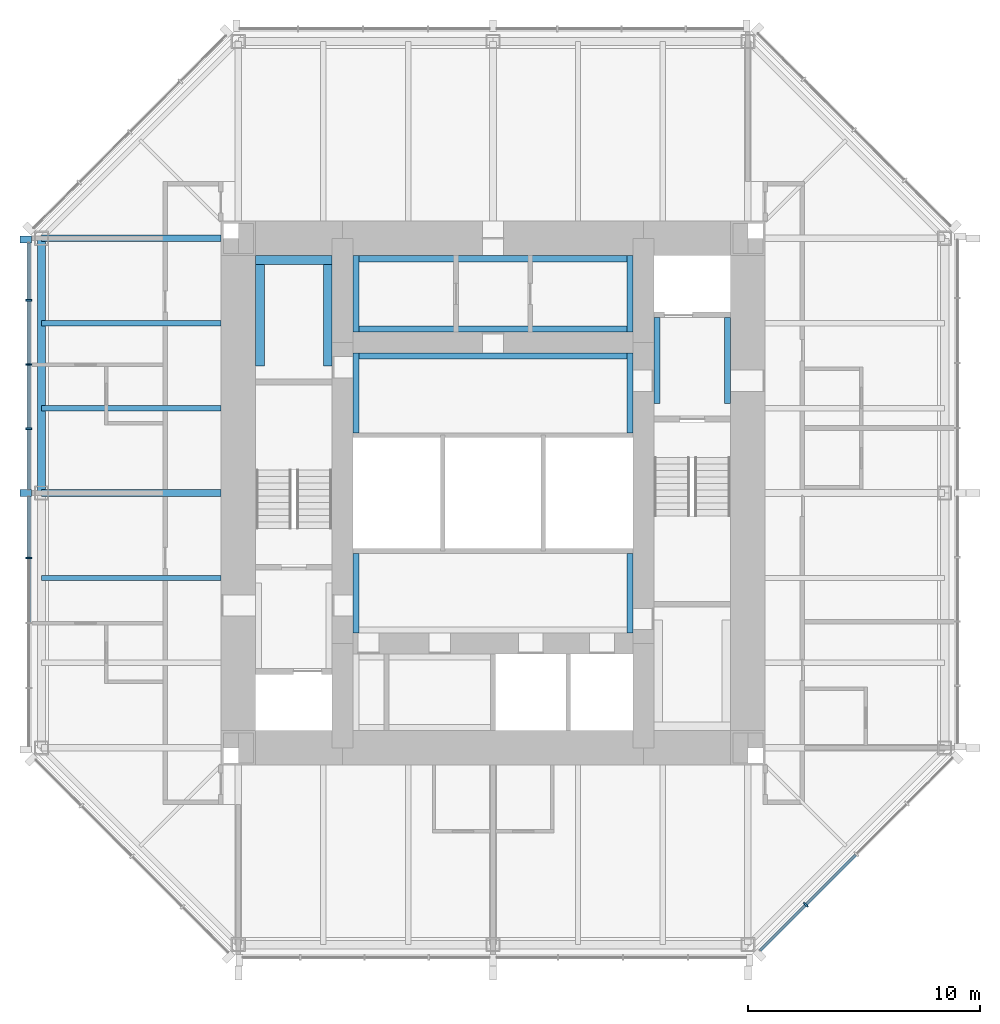
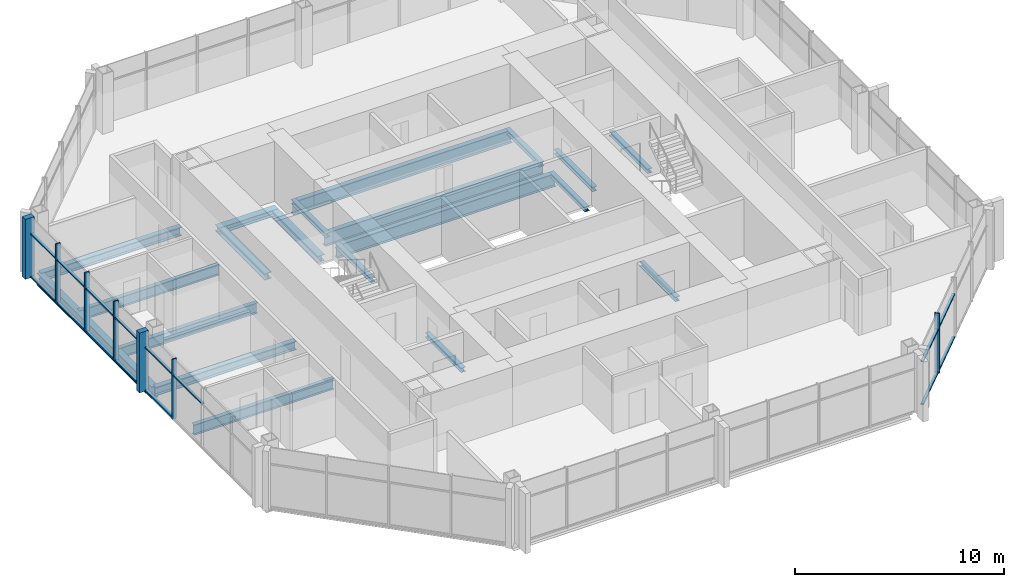
# One storey, part 3 of 11: 22 members, 20 beams, 2 elements without a shape of their own.
"""IFC4 building model written with IfcOpenShell, lengths in metres."""

from ifc_helpers import new_model, si_unit, direction, frame, origin, origin_2d, place, context, subcontext, project, spatial, rectangle, i_section, extrude, material, material_profile, profile_set, type_object, element, aggregate, save


model = new_model("IFC4")

# Units and contexts
model_context = context("Model", 3, precision=1e-05, world=origin(), true_north=direction((0.0, 1.0)))
body_context = subcontext(model_context, "Body", "Model", "MODEL_VIEW")
ifc_project = project(units=[si_unit("LENGTHUNIT", "METRE"), si_unit("AREAUNIT", "SQUARE_METRE"), si_unit("VOLUMEUNIT", "CUBIC_METRE"), si_unit("PLANEANGLEUNIT", "RADIAN"), si_unit("MASSUNIT", "GRAM", prefix="KILO")], contexts=[model_context])

# Site, building, storey
site_placement = place(None, origin())
site = spatial("IfcSite", under=ifc_project, at=site_placement, CompositionType="ELEMENT")
building_placement = place(site_placement, origin())
building = spatial("IfcBuilding", under=site, at=building_placement, Name="Trevanion Tower", CompositionType="ELEMENT")
storey_placement = place(building_placement, frame((0.0, 0.0, 253.699951171875)))
storey = spatial("IfcBuildingStorey", under=building, at=storey_placement, Name="L62", CompositionType="ELEMENT", Elevation=253.699951171875)

# Beams
ifc_material_1 = material(Name="Steel ASTM A992 Grade 50", Category="steel")
ifc_material_profile_1 = material_profile(ifc_material_1, i_section(OverallWidth=0.228271484375, OverallDepth=0.607177734375, WebThickness=0.01123046875, FlangeThickness=0.017333984375, at=origin_2d()), Name="W24X76")
ifc_profile_set_1 = profile_set([ifc_material_profile_1], Name="Steel ASTM A992 Grade 50")
beam_type_1 = type_object("IfcBeamType", Name="B11 W24X76", PredefinedType="BEAM", material=ifc_profile_set_1)
for number, where, z_axis, x_axis, name in (
    (1, (-11.75, 7.333251953125, -0.493408203125), (-1.0, 0.0, 0.0), (0.0, -1.0, 0.0), "B11 L62"),
    (2, (-11.75, 3.666748046875, -0.493408203125), (-1.0, 0.0, 0.0), (0.0, -1.0, 0.0), "B11 L62"),
    (3, (-11.75, -3.666748046875, -0.493408203125), (-1.0, 0.0, 0.0), (0.0, -1.0, 0.0), "B11 L62"),
):
    element("IfcBeam", number, at=place(storey_placement, frame(where, z_axis=z_axis, x_axis=x_axis)), inside=storey, type_object=beam_type_1, Name=name, PredefinedType="BEAM", context=body_context, shape_type="SweptSolid", body=[
        extrude(i_section(OverallWidth=0.228271484375, OverallDepth=0.607177734375, WebThickness=0.01123046875, FlangeThickness=0.017333984375, at=origin_2d()), origin(), (0.0, 0.0, 1.0), 7.75),
    ])

# Curtain wall, members
ifc_material_2 = material(Name="Aluminium and glass", Category="aluminium")
curtain_wall_type = type_object("IfcCurtainWallType", Name="CW3 curtain wall", PredefinedType="USERDEFINED", material=ifc_material_2)
curtain_wall_1_placement = place(storey_placement, origin())
curtain_wall_1 = element("IfcCurtainWall", 4, at=curtain_wall_1_placement, inside=storey, type_object=curtain_wall_type, Name="CW3 L62 4", ObjectType="UNITISED CURTAIN WALL", PredefinedType="USERDEFINED")
ifc_material_3 = material(Name="Aluminium extrusion, anodised bronze", Category="aluminium")
ifc_material_profile_2 = material_profile(ifc_material_3, rectangle(XDim=0.074951171875, YDim=0.25, at=origin_2d()), Name="CW3 mullion")
ifc_profile_set_2 = profile_set([ifc_material_profile_2], Name="Aluminium extrusion, anodised bronze")
member_type_1 = type_object("IfcMemberType", Name="CW3 mullion", PredefinedType="MULLION", material=ifc_profile_set_2)
member_1_placement = place(storey_placement, frame((-20.050048828125, 8.323486328125, -0.18994140625), z_axis=(0.0, 0.0, 1.0), x_axis=(0.0, -1.0, 0.0)))
member_1 = element("IfcMember", 5, at=member_1_placement, type_object=member_type_1, Name="CW3 mullion 2", PredefinedType="MULLION", context=body_context, shape_type="SweptSolid", body=[
    extrude(rectangle(XDim=0.074951171875, YDim=0.25, at=origin_2d()), origin(), (0.0, 0.0, 1.0), 3.5),
])
member_2_placement = place(storey_placement, frame((-20.050048828125, 5.548828125, -0.18994140625), z_axis=(0.0, 0.0, 1.0), x_axis=(0.0, -1.0, 0.0)))
member_2 = element("IfcMember", 6, at=member_2_placement, type_object=member_type_1, Name="CW3 mullion 3", PredefinedType="MULLION", context=body_context, shape_type="SweptSolid", body=[
    extrude(rectangle(XDim=0.074951171875, YDim=0.25, at=origin_2d()), origin(), (0.0, 0.0, 1.0), 3.5),
])
member_3_placement = place(storey_placement, frame((-20.050048828125, 2.7744140625, -0.18994140625), z_axis=(0.0, 0.0, 1.0), x_axis=(0.0, -1.0, 0.0)))
member_3 = element("IfcMember", 7, at=member_3_placement, type_object=member_type_1, Name="CW3 mullion 4", PredefinedType="MULLION", context=body_context, shape_type="SweptSolid", body=[
    extrude(rectangle(XDim=0.074951171875, YDim=0.25, at=origin_2d()), origin(), (0.0, 0.0, 1.0), 3.5),
])
member_4_placement = place(storey_placement, frame((-20.050048828125, -2.806884765625, -0.18994140625), z_axis=(0.0, 0.0, 1.0), x_axis=(0.0, -1.0, 0.0)))
member_4 = element("IfcMember", 8, at=member_4_placement, type_object=member_type_1, Name="CW3 mullion 6", PredefinedType="MULLION", context=body_context, shape_type="SweptSolid", body=[
    extrude(rectangle(XDim=0.074951171875, YDim=0.25, at=origin_2d()), origin(), (0.0, 0.0, 1.0), 3.5),
])

# Curtain wall, member
curtain_wall_2_placement = place(storey_placement, origin())
curtain_wall_2 = element("IfcCurtainWall", 9, at=curtain_wall_2_placement, inside=storey, type_object=curtain_wall_type, Name="CW3 L62 7", ObjectType="UNITISED CURTAIN WALL", PredefinedType="USERDEFINED")
member_5_placement = place(storey_placement, frame((13.502197265625, -17.775390625, -0.18994140625), z_axis=(0.0, 0.0, 1.0), x_axis=(0.707106781187, 0.707106781187, 0.0)))
member_5 = element("IfcMember", 10, at=member_5_placement, type_object=member_type_1, Name="CW3 mullion 2", PredefinedType="MULLION", context=body_context, shape_type="SweptSolid", body=[
    extrude(rectangle(XDim=0.074951171875, YDim=0.25, at=origin_2d()), origin(), (0.0, 0.0, 1.0), 3.5),
])

# Member
ifc_material_4 = material(Name="Aluminium extrusion, anodised bronze", Category="aluminium")
ifc_material_profile_3 = material_profile(ifc_material_4, rectangle(XDim=0.300048828125, YDim=0.5, at=origin_2d()), Name="CW3 pier mullion")
ifc_profile_set_3 = profile_set([ifc_material_profile_3], Name="Aluminium extrusion, anodised bronze")
member_type_2 = type_object("IfcMemberType", Name="CW3 pier mullion", PredefinedType="MULLION", material=ifc_profile_set_3)
member_6_placement = place(storey_placement, frame((-20.175048828125, 10.94775390625, -0.18994140625), z_axis=(0.0, 0.0, 1.0), x_axis=(0.0, -1.0, 0.0)))
member_6 = element("IfcMember", 11, at=member_6_placement, type_object=member_type_2, Name="CW3 pier mullion 1", PredefinedType="MULLION", context=body_context, shape_type="SweptSolid", body=[
    extrude(rectangle(XDim=0.300048828125, YDim=0.5, at=origin_2d()), origin(), (0.0, 0.0, 1.0), 3.5),
])

member_7_placement = place(storey_placement, frame((-20.175048828125, 0.0, -0.18994140625), z_axis=(0.0, 0.0, 1.0), x_axis=(0.0, -1.0, 0.0)))
member_7 = element("IfcMember", 12, at=member_7_placement, type_object=member_type_2, Name="CW3 pier mullion 5", PredefinedType="MULLION", context=body_context, shape_type="SweptSolid", body=[
    extrude(rectangle(XDim=0.300048828125, YDim=0.5, at=origin_2d()), origin(), (0.0, 0.0, 1.0), 3.5),
])

ifc_material_5 = material(Name="Aluminium extrusion, anodised bronze", Category="aluminium")
ifc_material_profile_4 = material_profile(ifc_material_5, rectangle(XDim=0.14990234375, YDim=0.074951171875, at=origin_2d()), Name="CW3 transom")
ifc_profile_set_4 = profile_set([ifc_material_profile_4], Name="Aluminium extrusion, anodised bronze")
member_type_3 = type_object("IfcMemberType", Name="CW3 transom", PredefinedType="USERDEFINED", material=ifc_profile_set_4)
member_8_placement = place(storey_placement, frame((-20.050048828125, 10.7978515625, -0.15234375), z_axis=(0.0, -1.0, 0.0), x_axis=(1.0, 0.0, 0.0)))
member_8 = element("IfcMember", 13, at=member_8_placement, type_object=member_type_3, Name="CW3 transom 1.1", ObjectType="TRANSOM", PredefinedType="USERDEFINED", context=body_context, shape_type="SweptSolid", body=[
    extrude(rectangle(XDim=0.14990234375, YDim=0.074951171875, at=origin_2d()), origin(), (0.0, 0.0, 1.0), 2.43701171875),
])

member_9_placement = place(storey_placement, frame((-20.050048828125, 10.7978515625, 2.360107421875), z_axis=(0.0, -1.0, 0.0), x_axis=(1.0, 0.0, 0.0)))
member_9 = element("IfcMember", 14, at=member_9_placement, type_object=member_type_3, Name="CW3 transom 1.2", ObjectType="TRANSOM", PredefinedType="USERDEFINED", context=body_context, shape_type="SweptSolid", body=[
    extrude(rectangle(XDim=0.14990234375, YDim=0.074951171875, at=origin_2d()), origin(), (0.0, 0.0, 1.0), 2.43701171875),
])

member_10_placement = place(storey_placement, frame((-20.050048828125, 8.285888671875, -0.15234375), z_axis=(0.0, -1.0, 0.0), x_axis=(1.0, 0.0, 0.0)))
member_10 = element("IfcMember", 15, at=member_10_placement, type_object=member_type_3, Name="CW3 transom 2.1", ObjectType="TRANSOM", PredefinedType="USERDEFINED", context=body_context, shape_type="SweptSolid", body=[
    extrude(rectangle(XDim=0.14990234375, YDim=0.074951171875, at=origin_2d()), origin(), (0.0, 0.0, 1.0), 2.699462890625),
])

member_11_placement = place(storey_placement, frame((-20.050048828125, 8.285888671875, 2.360107421875), z_axis=(0.0, -1.0, 0.0), x_axis=(1.0, 0.0, 0.0)))
member_11 = element("IfcMember", 16, at=member_11_placement, type_object=member_type_3, Name="CW3 transom 2.2", ObjectType="TRANSOM", PredefinedType="USERDEFINED", context=body_context, shape_type="SweptSolid", body=[
    extrude(rectangle(XDim=0.14990234375, YDim=0.074951171875, at=origin_2d()), origin(), (0.0, 0.0, 1.0), 2.699462890625),
])

member_12_placement = place(storey_placement, frame((-20.050048828125, 5.511474609375, -0.15234375), z_axis=(0.0, -1.0, 0.0), x_axis=(1.0, 0.0, 0.0)))
member_12 = element("IfcMember", 17, at=member_12_placement, type_object=member_type_3, Name="CW3 transom 3.1", ObjectType="TRANSOM", PredefinedType="USERDEFINED", context=body_context, shape_type="SweptSolid", body=[
    extrude(rectangle(XDim=0.14990234375, YDim=0.074951171875, at=origin_2d()), origin(), (0.0, 0.0, 1.0), 2.699462890625),
])

member_13_placement = place(storey_placement, frame((-20.050048828125, 5.511474609375, 2.360107421875), z_axis=(0.0, -1.0, 0.0), x_axis=(1.0, 0.0, 0.0)))
member_13 = element("IfcMember", 18, at=member_13_placement, type_object=member_type_3, Name="CW3 transom 3.2", ObjectType="TRANSOM", PredefinedType="USERDEFINED", context=body_context, shape_type="SweptSolid", body=[
    extrude(rectangle(XDim=0.14990234375, YDim=0.074951171875, at=origin_2d()), origin(), (0.0, 0.0, 1.0), 2.699462890625),
])

member_14_placement = place(storey_placement, frame((-20.050048828125, 2.737060546875, -0.15234375), z_axis=(0.0, -1.0, 0.0), x_axis=(1.0, 0.0, 0.0)))
member_14 = element("IfcMember", 19, at=member_14_placement, type_object=member_type_3, Name="CW3 transom 4.1", ObjectType="TRANSOM", PredefinedType="USERDEFINED", context=body_context, shape_type="SweptSolid", body=[
    extrude(rectangle(XDim=0.14990234375, YDim=0.074951171875, at=origin_2d()), origin(), (0.0, 0.0, 1.0), 2.587158203125),
])

member_15_placement = place(storey_placement, frame((-20.050048828125, 2.737060546875, 2.360107421875), z_axis=(0.0, -1.0, 0.0), x_axis=(1.0, 0.0, 0.0)))
member_15 = element("IfcMember", 20, at=member_15_placement, type_object=member_type_3, Name="CW3 transom 4.2", ObjectType="TRANSOM", PredefinedType="USERDEFINED", context=body_context, shape_type="SweptSolid", body=[
    extrude(rectangle(XDim=0.14990234375, YDim=0.074951171875, at=origin_2d()), origin(), (0.0, 0.0, 1.0), 2.587158203125),
])

member_16_placement = place(storey_placement, frame((-20.050048828125, -0.14990234375, -0.15234375), z_axis=(0.0, -1.0, 0.0), x_axis=(1.0, 0.0, 0.0)))
member_16 = element("IfcMember", 21, at=member_16_placement, type_object=member_type_3, Name="CW3 transom 5.1", ObjectType="TRANSOM", PredefinedType="USERDEFINED", context=body_context, shape_type="SweptSolid", body=[
    extrude(rectangle(XDim=0.14990234375, YDim=0.074951171875, at=origin_2d()), origin(), (0.0, 0.0, 1.0), 2.619384765625),
])

member_17_placement = place(storey_placement, frame((-20.050048828125, -0.14990234375, 2.360107421875), z_axis=(0.0, -1.0, 0.0), x_axis=(1.0, 0.0, 0.0)))
member_17 = element("IfcMember", 22, at=member_17_placement, type_object=member_type_3, Name="CW3 transom 5.2", ObjectType="TRANSOM", PredefinedType="USERDEFINED", context=body_context, shape_type="SweptSolid", body=[
    extrude(rectangle(XDim=0.14990234375, YDim=0.074951171875, at=origin_2d()), origin(), (0.0, 0.0, 1.0), 2.619384765625),
])

member_18_placement = place(storey_placement, frame((-20.050048828125, -2.844482421875, 2.360107421875), z_axis=(0.0, -1.0, 0.0), x_axis=(1.0, 0.0, 0.0)))
member_18 = element("IfcMember", 23, at=member_18_placement, type_object=member_type_3, Name="CW3 transom 6.2", ObjectType="TRANSOM", PredefinedType="USERDEFINED", context=body_context, shape_type="SweptSolid", body=[
    extrude(rectangle(XDim=0.14990234375, YDim=0.074951171875, at=origin_2d()), origin(), (0.0, 0.0, 1.0), 2.73193359375),
])

aggregate(curtain_wall_1, [member_6, member_1, member_2, member_3, member_7, member_4, member_8, member_9, member_10, member_11, member_12, member_13, member_14, member_15, member_16, member_17, member_18])

member_19_placement = place(storey_placement, frame((11.531982421875, -19.745849609375, -0.15234375), z_axis=(0.707106781187, 0.707106781187, 0.0), x_axis=(-0.707106781187, 0.707106781187, 0.0)))
member_19 = element("IfcMember", 24, at=member_19_placement, type_object=member_type_3, Name="CW3 transom 1.1", ObjectType="TRANSOM", PredefinedType="USERDEFINED", context=body_context, shape_type="SweptSolid", body=[
    extrude(rectangle(XDim=0.14990234375, YDim=0.074951171875, at=origin_2d()), origin(), (0.0, 0.0, 1.0), 2.7490234375),
])

member_20_placement = place(storey_placement, frame((11.531982421875, -19.745849609375, 2.360107421875), z_axis=(0.707106781187, 0.707106781187, 0.0), x_axis=(-0.707106781187, 0.707106781187, 0.0)))
member_20 = element("IfcMember", 25, at=member_20_placement, type_object=member_type_3, Name="CW3 transom 1.2", ObjectType="TRANSOM", PredefinedType="USERDEFINED", context=body_context, shape_type="SweptSolid", body=[
    extrude(rectangle(XDim=0.14990234375, YDim=0.074951171875, at=origin_2d()), origin(), (0.0, 0.0, 1.0), 2.7490234375),
])

member_21_placement = place(storey_placement, frame((13.52880859375, -17.7490234375, -0.15234375), z_axis=(0.707106781187, 0.707106781187, 0.0), x_axis=(-0.707106781187, 0.707106781187, 0.0)))
member_21 = element("IfcMember", 26, at=member_21_placement, type_object=member_type_3, Name="CW3 transom 2.1", ObjectType="TRANSOM", PredefinedType="USERDEFINED", context=body_context, shape_type="SweptSolid", body=[
    extrude(rectangle(XDim=0.14990234375, YDim=0.074951171875, at=origin_2d()), origin(), (0.0, 0.0, 1.0), 3.01171875),
])

member_22_placement = place(storey_placement, frame((13.52880859375, -17.7490234375, 2.360107421875), z_axis=(0.707106781187, 0.707106781187, 0.0), x_axis=(-0.707106781187, 0.707106781187, 0.0)))
member_22 = element("IfcMember", 27, at=member_22_placement, type_object=member_type_3, Name="CW3 transom 2.2", ObjectType="TRANSOM", PredefinedType="USERDEFINED", context=body_context, shape_type="SweptSolid", body=[
    extrude(rectangle(XDim=0.14990234375, YDim=0.074951171875, at=origin_2d()), origin(), (0.0, 0.0, 1.0), 3.01171875),
])

aggregate(curtain_wall_2, [member_5, member_19, member_20, member_21, member_22])

# Beams
ifc_material_6 = material(Name="Steel ASTM A992 Grade 50", Category="steel")
ifc_material_profile_5 = material_profile(ifc_material_6, i_section(OverallWidth=0.28955078125, OverallDepth=0.508056640625, WebThickness=0.022705078125, FlangeThickness=0.040283203125, at=origin_2d()), Name="W18X175")
ifc_profile_set_5 = profile_set([ifc_material_profile_5], Name="Steel ASTM A992 Grade 50")
beam_type_2 = type_object("IfcBeamType", Name="G6 W18X175", PredefinedType="BEAM", material=ifc_profile_set_5)
for number, where, z_axis, x_axis, name in (
    (28, (-11.75, 11.0, -0.44384765625), (-1.0, 0.0, 0.0), (0.0, -1.0, 0.0), "G6 L62"),
    (29, (-11.75, 0.0, -0.44384765625), (-1.0, 0.0, 0.0), (0.0, -1.0, 0.0), "G6 L62"),
):
    element("IfcBeam", number, at=place(storey_placement, frame(where, z_axis=z_axis, x_axis=x_axis)), inside=storey, type_object=beam_type_2, Name=name, PredefinedType="BEAM", context=body_context, shape_type="SweptSolid", body=[
        extrude(i_section(OverallWidth=0.28955078125, OverallDepth=0.508056640625, WebThickness=0.022705078125, FlangeThickness=0.040283203125, at=origin_2d()), origin(), (0.0, 0.0, 1.0), 7.75),
    ])
ifc_material_7 = material(Name="Steel ASTM A992 Grade 50", Category="steel")
ifc_material_profile_6 = material_profile(ifc_material_7, i_section(OverallWidth=0.256591796875, OverallDepth=0.26416015625, WebThickness=0.011962890625, FlangeThickness=0.01953125, at=origin_2d()), Name="W10X68")
ifc_profile_set_6 = profile_set([ifc_material_profile_6], Name="Steel ASTM A992 Grade 50")
beam_type_3 = type_object("IfcBeamType", Name="LB1 W10X68", PredefinedType="BEAM", material=ifc_profile_set_6)
for number, where, z_axis, x_axis, name in (
    (30, (-5.921630859375, 2.60009765625, -0.33203125), (0.0, 1.0, 0.0), (-1.0, 0.0, 0.0), "LB1 L62"),
    (31, (5.921630859375, 2.60009765625, -0.33203125), (0.0, 1.0, 0.0), (-1.0, 0.0, 0.0), "LB1 L62"),
    (32, (-5.921630859375, -6.050048828125, -0.33203125), (0.0, 1.0, 0.0), (-1.0, 0.0, 0.0), "LB1 L62"),
    (33, (5.921630859375, -6.050048828125, -0.33203125), (0.0, 1.0, 0.0), (-1.0, 0.0, 0.0), "LB1 L62"),
):
    element("IfcBeam", number, at=place(storey_placement, frame(where, z_axis=z_axis, x_axis=x_axis)), inside=storey, type_object=beam_type_3, Name=name, PredefinedType="BEAM", context=body_context, shape_type="SweptSolid", body=[
        extrude(i_section(OverallWidth=0.256591796875, OverallDepth=0.26416015625, WebThickness=0.011962890625, FlangeThickness=0.01953125, at=origin_2d()), origin(), (0.0, 0.0, 1.0), 3.449951171875),
    ])
for number, where, z_axis, x_axis, name in (
    (34, (7.078369140625, 3.875, -0.33203125), (0.0, 1.0, 0.0), (-1.0, 0.0, 0.0), "LB1 L62"),
    (35, (10.12158203125, 3.875, -0.33203125), (0.0, 1.0, 0.0), (-1.0, 0.0, 0.0), "LB1 L62"),
):
    element("IfcBeam", number, at=place(storey_placement, frame(where, z_axis=z_axis, x_axis=x_axis)), inside=storey, type_object=beam_type_3, Name=name, PredefinedType="BEAM", context=body_context, shape_type="SweptSolid", body=[
        extrude(i_section(OverallWidth=0.256591796875, OverallDepth=0.26416015625, WebThickness=0.011962890625, FlangeThickness=0.01953125, at=origin_2d()), origin(), (0.0, 0.0, 1.0), 3.699951171875),
    ])
for number, where, z_axis, x_axis, name in (
    (36, (-5.921630859375, 6.949951171875, -0.33203125), (0.0, 1.0, 0.0), (-1.0, 0.0, 0.0), "LB1 L62"),
    (37, (5.921630859375, 6.949951171875, -0.33203125), (0.0, 1.0, 0.0), (-1.0, 0.0, 0.0), "LB1 L62"),
):
    element("IfcBeam", number, at=place(storey_placement, frame(where, z_axis=z_axis, x_axis=x_axis)), inside=storey, type_object=beam_type_3, Name=name, PredefinedType="BEAM", context=body_context, shape_type="SweptSolid", body=[
        extrude(i_section(OverallWidth=0.256591796875, OverallDepth=0.26416015625, WebThickness=0.011962890625, FlangeThickness=0.01953125, at=origin_2d()), origin(), (0.0, 0.0, 1.0), 3.300048828125),
    ])
ifc_material_8 = material(Name="Steel ASTM A992 Grade 50", Category="steel")
ifc_material_profile_7 = material_profile(ifc_material_8, i_section(OverallWidth=0.373291015625, OverallDepth=0.373291015625, WebThickness=0.016357421875, FlangeThickness=0.026123046875, at=origin_2d()), Name="W14X132")
ifc_profile_set_7 = profile_set([ifc_material_profile_7], Name="Steel ASTM A992 Grade 50")
beam_type_4 = type_object("IfcBeamType", Name="LB2 W14X132", PredefinedType="BEAM", material=ifc_profile_set_7)
for number, where, z_axis, x_axis, name in (
    (38, (-10.063232421875, 5.47509765625, -0.38671875), (0.0, 1.0, 0.0), (-1.0, 0.0, 0.0), "LB2 L62"),
    (39, (-7.13671875, 5.47509765625, -0.38671875), (0.0, 1.0, 0.0), (-1.0, 0.0, 0.0), "LB2 L62"),
):
    element("IfcBeam", number, at=place(storey_placement, frame(where, z_axis=z_axis, x_axis=x_axis)), inside=storey, type_object=beam_type_4, Name=name, PredefinedType="BEAM", context=body_context, shape_type="SweptSolid", body=[
        extrude(i_section(OverallWidth=0.373291015625, OverallDepth=0.373291015625, WebThickness=0.016357421875, FlangeThickness=0.026123046875, at=origin_2d()), origin(), (0.0, 0.0, 1.0), 4.77490234375),
    ])
beam_1_placement = place(storey_placement, frame((-10.25, 10.063232421875, -0.38671875), z_axis=(1.0, 0.0, 0.0), x_axis=(0.0, 1.0, 0.0)))
element("IfcBeam", 40, at=beam_1_placement, inside=storey, type_object=beam_type_4, Name="LB2 L62", PredefinedType="BEAM", context=body_context, shape_type="SweptSolid", body=[
    extrude(i_section(OverallWidth=0.373291015625, OverallDepth=0.373291015625, WebThickness=0.016357421875, FlangeThickness=0.026123046875, at=origin_2d()), origin(), (0.0, 0.0, 1.0), 3.300048828125),
])
ifc_material_9 = material(Name="Steel ASTM A992 Grade 50", Category="steel")
ifc_material_profile_8 = material_profile(ifc_material_9, i_section(OverallWidth=0.2666015625, OverallDepth=0.76953125, WebThickness=0.015625, FlangeThickness=0.025390625, at=origin_2d()), Name="W30X132")
ifc_profile_set_8 = profile_set([ifc_material_profile_8], Name="Steel ASTM A992 Grade 50")
beam_type_5 = type_object("IfcBeamType", Name="LB3 W30X132", PredefinedType="BEAM", material=ifc_profile_set_8)
for number, where, z_axis, x_axis, name in (
    (41, (-6.050048828125, 5.91650390625, -0.584716796875), (1.0, 0.0, 0.0), (0.0, 1.0, 0.0), "LB3 L62"),
    (42, (-6.050048828125, 7.08349609375, -0.584716796875), (1.0, 0.0, 0.0), (0.0, 1.0, 0.0), "LB3 L62"),
    (43, (-6.050048828125, 10.11669921875, -0.584716796875), (1.0, 0.0, 0.0), (0.0, 1.0, 0.0), "LB3 L62"),
):
    element("IfcBeam", number, at=place(storey_placement, frame(where, z_axis=z_axis, x_axis=x_axis)), inside=storey, type_object=beam_type_5, Name=name, PredefinedType="BEAM", context=body_context, shape_type="SweptSolid", body=[
        extrude(i_section(OverallWidth=0.2666015625, OverallDepth=0.76953125, WebThickness=0.015625, FlangeThickness=0.025390625, at=origin_2d()), origin(), (0.0, 0.0, 1.0), 12.10009765625),
    ])
ifc_material_10 = material(Name="Steel ASTM A992 Grade 50", Category="steel")
ifc_material_profile_9 = material_profile(ifc_material_10, i_section(OverallWidth=0.355712890625, OverallDepth=0.696044921875, WebThickness=0.015380859375, FlangeThickness=0.024658203125, at=origin_2d()), Name="W27X146")
ifc_profile_set_9 = profile_set([ifc_material_profile_9], Name="Steel ASTM A992 Grade 50")
beam_type_6 = type_object("IfcBeamType", Name="SB8 W27X146", PredefinedType="SPANDREL", material=ifc_profile_set_9)
beam_2_placement = place(storey_placement, frame((-19.5, 11.0, -0.537841796875), z_axis=(0.0, -1.0, 0.0), x_axis=(1.0, 0.0, 0.0)))
element("IfcBeam", 44, at=beam_2_placement, inside=storey, type_object=beam_type_6, Name="SB8 L62", PredefinedType="SPANDREL", context=body_context, shape_type="SweptSolid", body=[
    extrude(i_section(OverallWidth=0.355712890625, OverallDepth=0.696044921875, WebThickness=0.015380859375, FlangeThickness=0.024658203125, at=origin_2d()), origin(), (0.0, 0.0, 1.0), 11.0),
])

save(model, "model.ifc")
